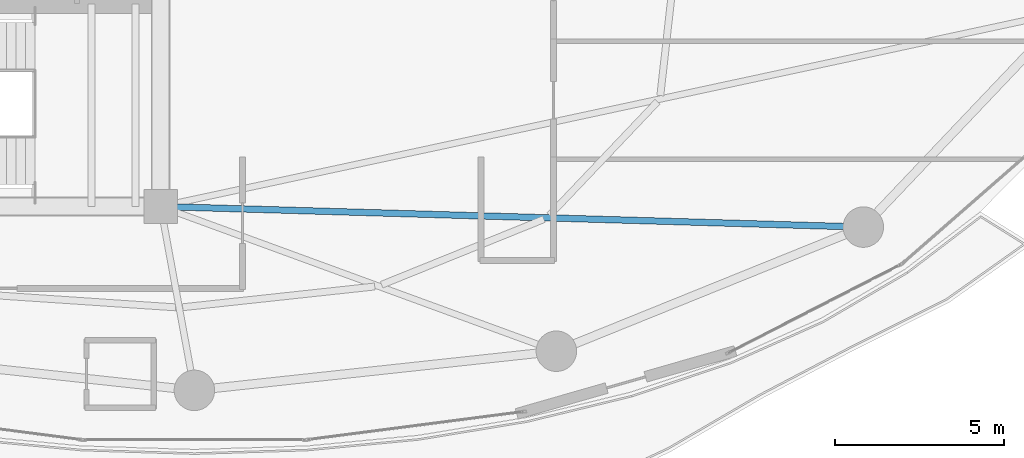
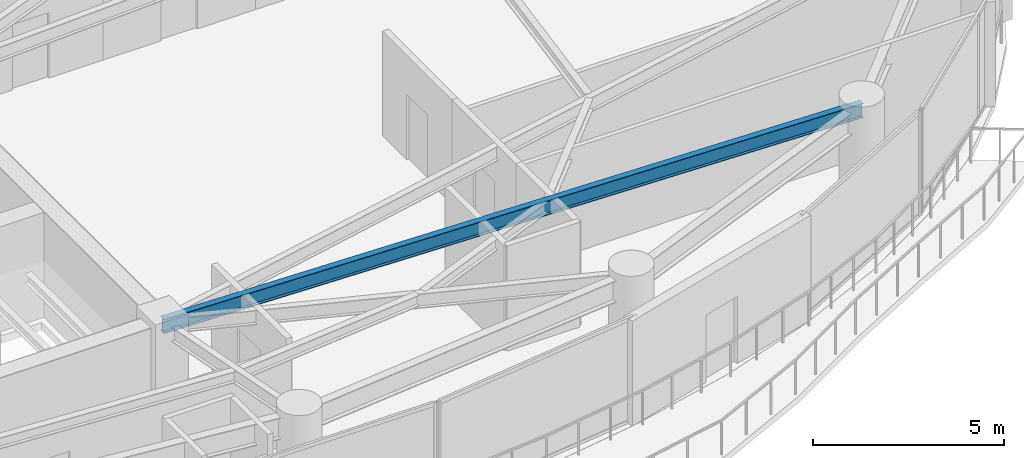
# One storey, part 10 of 28: 1 beam.
"""IFC4 building model written with IfcOpenShell, lengths in metres."""

import ifcopenshell
import ifcopenshell.guid

model = None  # the IFC model being written
_history = None  # IfcOwnerHistory: only IFC2X3 demands one
_inside = {}  # id of a spatial element -> (the spatial element, [elements in it])
_under = {}  # id of a project, library or spatial element -> (it, [spatial elements below it])
_declared = {}  # id of a project -> (the project, [libraries it declares])
_typed = {}  # id of a type object -> (the type object, [elements of that type])
_made_of = {}  # id of a material, layer set ... -> (it, [elements and type objects made of it])


def new_model(schema):
    """Start an empty IFC model of exactly this schema.

    Asked for "IFC4X3", IfcOpenShell would pick the latest addendum, in which some entities
    have other attributes; the version numbers below select the first issue.
    IFC2X3 requires an IfcOwnerHistory on every rooted entity: one is made here for all.
    """
    global model, _history
    if schema == "IFC4X3":
        model = ifcopenshell.file(schema_version=(4, 3, 0, 0))
    else:
        model = ifcopenshell.file(schema=schema)
    _inside.clear()
    _under.clear()
    _declared.clear()
    _typed.clear()
    _made_of.clear()
    _history = None
    if model.schema == "IFC2X3":
        org = make("IfcOrganization", Name="unknown")
        user = make(
            "IfcPersonAndOrganization",
            ThePerson=make("IfcPerson", FamilyName="unknown"),
            TheOrganization=org,
        )
        app = make(
            "IfcApplication",
            ApplicationDeveloper=org,
            Version="unknown",
            ApplicationFullName="unknown",
            ApplicationIdentifier="unknown",
        )
        _history = make(
            "IfcOwnerHistory",
            OwningUser=user,
            OwningApplication=app,
            ChangeAction="ADDED",
            CreationDate=0,
        )
    return model


def make(cls, **values):
    """One entity of the class cls with the attributes given. An attribute that is None is left unset."""
    return model.create_entity(
        cls, **{name: value for name, value in values.items() if value is not None}
    )


def rooted(cls, **values):
    """An entity with a GlobalId (a new one), such as an element, a storey or a relation."""
    return make(cls, GlobalId=ifcopenshell.guid.new(), OwnerHistory=_history, **values)


def si_unit(unit_type, name, prefix=None):
    """IfcSIUnit, for example si_unit("LENGTHUNIT", "METRE", prefix="MILLI")."""
    return make("IfcSIUnit", UnitType=unit_type, Prefix=prefix, Name=name)


def assignment(units):
    """IfcUnitAssignment: the units of a project."""
    return None if units is None else make("IfcUnitAssignment", Units=units)


def point(xyz):
    """IfcCartesianPoint."""
    return None if xyz is None else make("IfcCartesianPoint", Coordinates=xyz)


def direction(xyz):
    """IfcDirection."""
    return None if xyz is None else make("IfcDirection", DirectionRatios=xyz)


def frame(location, z_axis=None, x_axis=None):
    """IfcAxis2Placement3D, a coordinate frame: its origin and axes. An axis left out is left unset."""
    return make(
        "IfcAxis2Placement3D",
        Location=point(location),
        Axis=direction(z_axis),
        RefDirection=direction(x_axis),
    )


def frame_2d(location, x_axis=None):
    """IfcAxis2Placement2D, a coordinate frame in the plane: its origin and x axis."""
    return make(
        "IfcAxis2Placement2D", Location=point(location), RefDirection=direction(x_axis)
    )


def origin():
    """The frame at (0, 0, 0) with its axes left unset."""
    return frame((0.0, 0.0, 0.0))


def origin_2d():
    """The frame at (0, 0) in the plane with its x axis left unset."""
    return frame_2d((0.0, 0.0))


def place(relative_to, where):
    """IfcLocalPlacement: puts the frame where relative to a parent placement (None: the world)."""
    return make(
        "IfcLocalPlacement", PlacementRelTo=relative_to, RelativePlacement=where
    )


def context(
    kind, dimensions, precision=None, world=None, true_north=None, identifier=None
):
    """IfcGeometricRepresentationContext, for example the 3D "Model" context."""
    return make(
        "IfcGeometricRepresentationContext",
        ContextIdentifier=identifier,
        ContextType=kind,
        CoordinateSpaceDimension=dimensions,
        Precision=precision,
        WorldCoordinateSystem=world,
        TrueNorth=true_north,
    )


def subcontext(parent, identifier, kind, view, scale=None):
    """IfcGeometricRepresentationSubContext, for example "Body" below "Model"."""
    return make(
        "IfcGeometricRepresentationSubContext",
        ContextIdentifier=identifier,
        ContextType=kind,
        ParentContext=parent,
        TargetScale=scale,
        TargetView=view,
    )


def project(units=None, contexts=None):
    """IfcProject with its units and contexts."""
    return rooted(
        "IfcProject",
        Name="project",
        RepresentationContexts=contexts,
        UnitsInContext=assignment(units),
    )


def spatial(cls, under=None, at=None, **own):
    """A site, building, storey or space (cls), placed at a placement, below another one or the project."""
    s = rooted(cls, ObjectPlacement=at, **own)
    if under is not None:
        _under.setdefault(under.id(), (under, []))[1].append(s)
    return s


def profile(cls, at=None, kind="AREA", **sizes):
    """A parametric profile (cls). Its sizes go by their IFC names, for example OverallWidth=200.0."""
    return make(cls, ProfileType=kind, Position=at, **sizes)


def i_section(**sizes):
    """IfcIShapeProfileDef."""
    return profile("IfcIShapeProfileDef", **sizes)


def extrude(swept, where, along, depth):
    """IfcExtrudedAreaSolid: the profile swept, set in the frame where, extruded along a direction by depth."""
    return make(
        "IfcExtrudedAreaSolid",
        SweptArea=swept,
        Position=where,
        ExtrudedDirection=direction(along),
        Depth=depth,
    )


def shape(context_of_items, identifier, shape_type, items):
    """IfcShapeRepresentation: the items that make up one representation, for example the "Body"."""
    return make(
        "IfcShapeRepresentation",
        ContextOfItems=context_of_items,
        RepresentationIdentifier=identifier,
        RepresentationType=shape_type,
        Items=items,
    )


def material(Name=None, Category=None):
    """IfcMaterial."""
    return make("IfcMaterial", Name=Name, Category=Category)


def material_profile(
    of_material, cross_section, Name=None, Category=None, Priority=None
):
    """IfcMaterialProfile: a cross section and its material."""
    return make(
        "IfcMaterialProfile",
        Name=Name,
        Material=of_material,
        Profile=cross_section,
        Priority=Priority,
        Category=Category,
    )


def profile_set(profiles, Name=None, composite=None):
    """IfcMaterialProfileSet."""
    return make(
        "IfcMaterialProfileSet",
        Name=Name,
        MaterialProfiles=profiles,
        CompositeProfile=composite,
    )


def made_of(thing, what):
    """Note that an element or type object is made of a material, layer set ...; save() writes the relation."""
    if what is not None:
        _made_of.setdefault(what.id(), (what, []))[1].append(thing)
    return thing


def type_object(cls, material=None, **own):
    """A type object (cls), such as IfcWallType, which elements share."""
    return made_of(rooted(cls, **own), material)


def element(
    cls,
    number,
    at=None,
    inside=None,
    cuts=None,
    type_object=None,
    material=None,
    context=None,
    identifier="Body",
    shape_type=None,
    held_by="IfcProductDefinitionShape",
    body=None,
    shapes=None,
    **own,
):
    """One element of the class cls, such as IfcWall. Its Tag is "e" and its number.

    at: its placement. inside: the storey or other place that contains it. cuts: it is an
    opening in that element (IfcRelVoidsElement). A single representation is given by context,
    identifier, shape_type and body (its items); several are given by shapes. held_by: the class
    of the entity that holds the representations. save() writes the other relations.
    """
    e = rooted(cls, Tag="e%d" % number, ObjectPlacement=at, **own)
    if body is not None:
        shapes = [shape(context, identifier, shape_type, body)]
    if shapes is not None:
        e.Representation = make(held_by, Representations=shapes)
    if inside is not None:
        _inside.setdefault(inside.id(), (inside, []))[1].append(e)
    if cuts is not None:
        rooted(
            "IfcRelVoidsElement", RelatingBuildingElement=cuts, RelatedOpeningElement=e
        )
    if type_object is not None:
        _typed.setdefault(type_object.id(), (type_object, []))[1].append(e)
    return made_of(e, material)


def aggregate(whole, parts):
    """IfcRelAggregates: a whole, such as a stair, and the parts it consists of."""
    return rooted("IfcRelAggregates", RelatingObject=whole, RelatedObjects=parts)


def save(model, path):
    """Write the relations noted so far, then the file.

    IfcRelAggregates (storeys below a building ...), IfcRelContainedInSpatialStructure (elements
    in a storey), IfcRelDefinesByType, IfcRelAssociatesMaterial and IfcRelDeclares: one each for
    every whole, place, type object, material and project.
    """
    for whole, parts in _under.values():
        aggregate(whole, parts)
    for where, things in _inside.values():
        rooted(
            "IfcRelContainedInSpatialStructure",
            RelatedElements=things,
            RelatingStructure=where,
        )
    for kind, things in _typed.values():
        rooted("IfcRelDefinesByType", RelatedObjects=things, RelatingType=kind)
    for what, things in _made_of.values():
        rooted("IfcRelAssociatesMaterial", RelatedObjects=things, RelatingMaterial=what)
    for by, libraries in _declared.values():
        rooted("IfcRelDeclares", RelatingContext=by, RelatedDefinitions=libraries)
    model.write(path)


model = new_model("IFC4")

# Units and contexts
model_context = context("Model", 3, precision=1e-05, world=origin(), true_north=direction((0.0, 1.0)))
body_context = subcontext(model_context, "Body", "Model", "MODEL_VIEW")
ifc_project = project(units=[si_unit("LENGTHUNIT", "METRE"), si_unit("AREAUNIT", "SQUARE_METRE"), si_unit("VOLUMEUNIT", "CUBIC_METRE"), si_unit("PLANEANGLEUNIT", "RADIAN"), si_unit("MASSUNIT", "GRAM", prefix="KILO")], contexts=[model_context])

# Site, building, storey
site_placement = place(None, origin())
site = spatial("IfcSite", under=ifc_project, at=site_placement, CompositionType="ELEMENT")
building_placement = place(site_placement, origin())
building = spatial("IfcBuilding", under=site, at=building_placement, Name="Kazevale Care Tower and Concert Hall", CompositionType="ELEMENT")
storey_placement = place(building_placement, frame((0.0, 0.0, 106.199951171875)))
storey = spatial("IfcBuildingStorey", under=building, at=storey_placement, Name="L27", CompositionType="ELEMENT", Elevation=106.199951171875)

# Beam
ifc_material = material(Name="Steel ASTM A572 Gr 50", Category="steel")
ifc_material_profile = material_profile(ifc_material, i_section(OverallWidth=0.19091796875, OverallDepth=0.4599609375, WebThickness=0.010009765625, FlangeThickness=0.01611328125, at=origin_2d()), Name="W460x82")
ifc_profile_set = profile_set([ifc_material_profile], Name="Steel ASTM A572 Gr 50")
beam_type = type_object("IfcBeamType", Name="Radial Floor Beam W460x82", PredefinedType="BEAM", material=ifc_profile_set)
beam_placement = place(storey_placement, frame((44.0, 23.60009765625, 3.130126953125), z_axis=(0.99957133157, -0.029277177187, 0.0), x_axis=(0.029277177187, 0.99957133157, 0.0)))
element("IfcBeam", 1, at=beam_placement, inside=storey, type_object=beam_type, Name="beam:L27:rad:15", PredefinedType="BEAM", context=body_context, shape_type="SweptSolid", body=[
    extrude(i_section(OverallWidth=0.19091796875, OverallDepth=0.4599609375, WebThickness=0.010009765625, FlangeThickness=0.01611328125, at=origin_2d()), origin(), (0.0, 0.0, 1.0), 20.839111328125),
])

save(model, "model.ifc")
